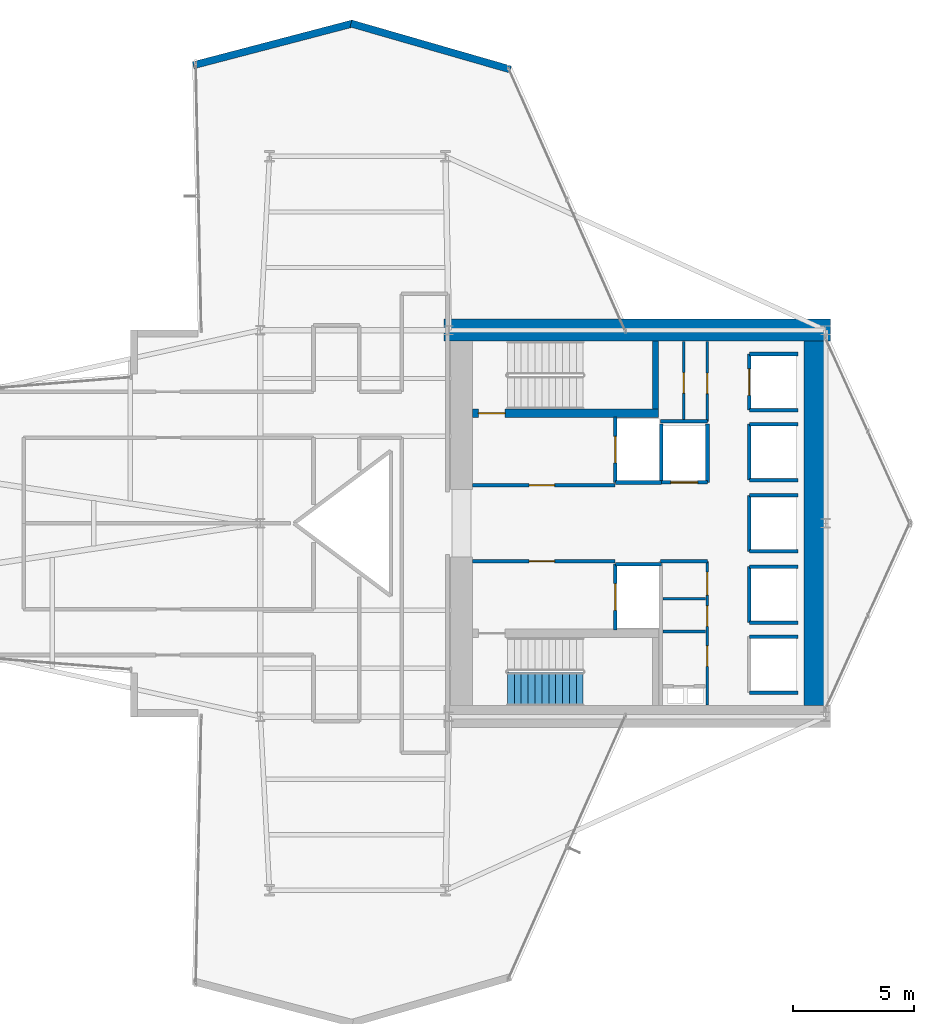
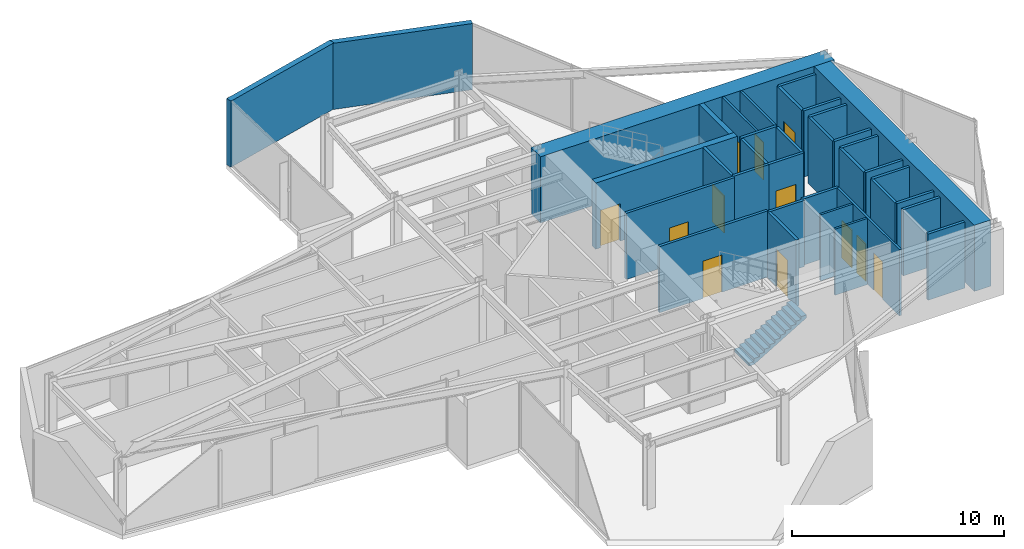
# One storey, part 21 of 23: 36 walls, 12 doors, 1 stair flight, 12 openings, 1 element without a shape of its own.
"""IFC4 building model written with IfcOpenShell, lengths in metres."""

from ifc_helpers import new_model, si_unit, direction, frame, frame_2d, origin, place, context, subcontext, project, spatial, polyline, rectangle, outline, extrude, material, layer, layer_set, type_object, element, fill, aggregate, save


model = new_model("IFC4")

# Units and contexts
model_context = context("Model", 3, precision=1e-05, world=origin(), true_north=direction((0.0, 1.0)))
body_context = subcontext(model_context, "Body", "Model", "MODEL_VIEW")
ifc_project = project(units=[si_unit("LENGTHUNIT", "METRE"), si_unit("AREAUNIT", "SQUARE_METRE"), si_unit("VOLUMEUNIT", "CUBIC_METRE"), si_unit("PLANEANGLEUNIT", "RADIAN"), si_unit("MASSUNIT", "GRAM", prefix="KILO")], contexts=[model_context])

# Site, building, storey
site_placement = place(None, origin())
site = spatial("IfcSite", under=ifc_project, at=site_placement, CompositionType="ELEMENT")
building_placement = place(site_placement, origin())
building = spatial("IfcBuilding", under=site, at=building_placement, Name="Veymaron Broadcast Tower", CompositionType="ELEMENT")
storey_placement = place(building_placement, frame((0.0, 0.0, 94.5)))
storey = spatial("IfcBuildingStorey", under=building, at=storey_placement, Name="L21", CompositionType="ELEMENT", Elevation=94.5)

# Walls
ifc_material_1 = material(Name="Precast concrete C40/50 with mineral-wool insulation", Category="concrete")
ifc_layer_1 = layer(ifc_material_1, 0.300048828125)
ifc_layer_set_1 = layer_set([ifc_layer_1], Name="Precast concrete C40/50 with mineral-wool insulation")
wall_type_1 = type_object("IfcWallType", Name="WALL-EXT-300", PredefinedType="STANDARD", material=ifc_layer_set_1)
wall_1_placement = place(storey_placement, frame((41.55322265625, 42.79150390625, 0.0), z_axis=(0.0, 0.0, 1.0), x_axis=(-0.960887246738, 0.27693988347, 0.0)))
element("IfcWall", 1, at=wall_1_placement, inside=storey, type_object=wall_type_1, Name="L21 notched corner facade pier 6-1", PredefinedType="STANDARD", context=body_context, shape_type="SweptSolid", body=[
    extrude(rectangle(XDim=6.871826171875, YDim=0.300048828125, at=frame_2d((3.43603515625, 0.0))), origin(), (0.0, 0.0, 1.0), 3.81005859375),
])
wall_2_placement = place(storey_placement, frame((35.0244140625, 44.693603515625, 0.0), z_axis=(0.0, 0.0, 1.0), x_axis=(-0.967350095479, -0.25344386514, 0.0)))
element("IfcWall", 2, at=wall_2_placement, inside=storey, type_object=wall_type_1, Name="L21 notched corner facade pier 7-1", PredefinedType="STANDARD", context=body_context, shape_type="SweptSolid", body=[
    extrude(rectangle(XDim=6.825927734375, YDim=0.300048828125, at=frame_2d((3.4130859375, 0.0))), origin(), (0.0, 0.0, 1.0), 3.81005859375),
])

# Wall, opening, door
ifc_material_2 = material(Name="Gypsum fireboard and steel stud framing", Category="steel")
ifc_layer_2 = layer(ifc_material_2, 0.14990234375)
ifc_layer_set_2 = layer_set([ifc_layer_2], Name="Gypsum fireboard and steel stud framing")
wall_type_2 = type_object("IfcWallType", Name="WALL-FIRE-150", PredefinedType="PARTITIONING", material=ifc_layer_set_2)
wall_3_placement = place(storey_placement, frame((39.97998046875, 25.574951171875, 0.0), z_axis=(0.0, 0.0, 1.0), x_axis=(1.0, 0.0, 0.0)))
wall_3 = element("IfcWall", 3, at=wall_3_placement, inside=storey, type_object=wall_type_2, Name="L21 partition IW-L21-FFLN-S", PredefinedType="PARTITIONING", context=body_context, shape_type="SweptSolid", body=[
    extrude(rectangle(XDim=5.89990234375, YDim=0.14990234375, at=frame_2d((2.949951171875, 0.0))), origin(), (0.0, 0.0, 1.0), 3.81005859375),
])
opening_1_placement = place(wall_3_placement, frame((2.35009765625, 0.0, 0.0)))
opening_1 = element("IfcOpeningElement", 4, at=opening_1_placement, cuts=wall_3, Name="Opening ID-FL1", PredefinedType="OPENING", context=body_context, shape_type="SweptSolid", body=[
    extrude(rectangle(XDim=1.050048828125, YDim=2.14990234375, at=frame_2d((0.52490234375, 1.074951171875))), frame((0.0, 0.0849609375, 0.0), z_axis=(0.0, -1.0, 0.0), x_axis=(1.0, 0.0, 0.0)), (0.0, 0.0, 1.0), 0.169921875),
])
ifc_material_3 = material(Name="Fire-rated painted hollow steel ASTM A653", Category="steel")
door_type_1 = type_object("IfcDoorType", Name="DOOR-FIRE-1050", OperationType="NOTDEFINED", PredefinedType="DOOR", material=ifc_material_3)
door_1_placement = place(opening_1_placement, origin())
door_1 = element("IfcDoor", 5, at=door_1_placement, inside=storey, type_object=door_type_1, Name="L21 door DR-L21-FFLN", OperationType="SINGLE_SWING_LEFT", OverallHeight=2.14990234375, OverallWidth=1.050048828125, PredefinedType="DOOR", context=body_context, shape_type="SweptSolid", body=[
    extrude(rectangle(XDim=1.050048828125, YDim=2.14990234375, at=frame_2d((0.52490234375, 1.074951171875))), frame((0.0, 0.02490234375, 0.0), z_axis=(0.0, -1.0, 0.0), x_axis=(1.0, 0.0, 0.0)), (0.0, 0.0, 1.0), 0.050048828125),
])
fill(opening_1, door_1)

wall_4_placement = place(storey_placement, frame((39.97998046875, 22.425048828125, 0.0), z_axis=(0.0, 0.0, 1.0), x_axis=(1.0, 0.0, 0.0)))
wall_4 = element("IfcWall", 6, at=wall_4_placement, inside=storey, type_object=wall_type_2, Name="L21 partition IW-L21-FFLS-N", PredefinedType="PARTITIONING", context=body_context, shape_type="SweptSolid", body=[
    extrude(rectangle(XDim=5.89990234375, YDim=0.14990234375, at=frame_2d((2.949951171875, 0.0))), origin(), (0.0, 0.0, 1.0), 3.81005859375),
])
opening_2_placement = place(wall_4_placement, frame((2.35009765625, 0.0, 0.0)))
opening_2 = element("IfcOpeningElement", 7, at=opening_2_placement, cuts=wall_4, Name="Opening ID-FL1", PredefinedType="OPENING", context=body_context, shape_type="SweptSolid", body=[
    extrude(rectangle(XDim=1.050048828125, YDim=2.14990234375, at=frame_2d((0.52490234375, 1.074951171875))), frame((0.0, 0.0849609375, 0.0), z_axis=(0.0, -1.0, 0.0), x_axis=(1.0, 0.0, 0.0)), (0.0, 0.0, 1.0), 0.169921875),
])
door_2_placement = place(opening_2_placement, frame((1.050048828125, 0.0, 0.0), z_axis=(0.0, 0.0, 1.0), x_axis=(-1.0, 0.0, 0.0)))
door_2 = element("IfcDoor", 8, at=door_2_placement, inside=storey, type_object=door_type_1, Name="L21 door DR-L21-FFLS", OperationType="SINGLE_SWING_RIGHT", OverallHeight=2.14990234375, OverallWidth=1.050048828125, PredefinedType="DOOR", context=body_context, shape_type="SweptSolid", body=[
    extrude(rectangle(XDim=1.050048828125, YDim=2.14990234375, at=frame_2d((0.52490234375, 1.074951171875))), frame((0.0, 0.02490234375, 0.0), z_axis=(0.0, -1.0, 0.0), x_axis=(1.0, 0.0, 0.0)), (0.0, 0.0, 1.0), 0.050048828125),
])
fill(opening_2, door_2)

wall_5_placement = place(storey_placement, frame((45.89501953125, 25.68994140625, 0.0), z_axis=(0.0, 0.0, 1.0), x_axis=(0.0, 1.0, 0.0)))
wall_5 = element("IfcWall", 9, at=wall_5_placement, inside=storey, type_object=wall_type_2, Name="L21 partition IW-L21-SHW-FFL-1", PredefinedType="PARTITIONING", context=body_context, shape_type="SweptSolid", body=[
    extrude(rectangle(XDim=2.719970703125, YDim=0.14990234375, at=frame_2d((1.35986328125, 0.0))), origin(), (0.0, 0.0, 1.0), 3.81005859375),
])
opening_3_placement = place(wall_5_placement, frame((0.81005859375, 0.0, 0.0)))
opening_3 = element("IfcOpeningElement", 10, at=opening_3_placement, cuts=wall_5, Name="Opening LD", PredefinedType="OPENING", context=body_context, shape_type="SweptSolid", body=[
    extrude(rectangle(XDim=1.10009765625, YDim=2.14990234375, at=frame_2d((0.550048828125, 1.074951171875))), frame((0.0, 0.0849609375, 0.0), z_axis=(0.0, -1.0, 0.0), x_axis=(1.0, 0.0, 0.0)), (0.0, 0.0, 1.0), 0.169921875),
])
ifc_material_4 = material(Name="Brushed stainless steel AISI 304", Category="steel")
door_type_2 = type_object("IfcDoorType", Name="DOOR-LIFT-1100", OperationType="DOUBLE_DOOR_SLIDING", PredefinedType="DOOR", material=ifc_material_4)
door_3_placement = place(opening_3_placement, frame((1.10009765625, 0.0, 0.0), z_axis=(0.0, 0.0, 1.0), x_axis=(-1.0, 0.0, 0.0)))
door_3 = element("IfcDoor", 11, at=door_3_placement, inside=storey, type_object=door_type_2, Name="L21 door LD-L21-FFL-1", OperationType="DOUBLE_DOOR_SLIDING", OverallHeight=2.14990234375, OverallWidth=1.10009765625, PredefinedType="DOOR", context=body_context, shape_type="SweptSolid", body=[
    extrude(rectangle(XDim=1.10009765625, YDim=2.14990234375, at=frame_2d((0.550048828125, 1.074951171875))), frame((0.0, 0.02490234375, 0.0), z_axis=(0.0, -1.0, 0.0), x_axis=(1.0, 0.0, 0.0)), (0.0, 0.0, 1.0), 0.050048828125),
])
fill(opening_3, door_3)

# Wall
wall_6_placement = place(storey_placement, frame((45.89501953125, 25.68994140625, 0.0), z_axis=(0.0, 0.0, 1.0), x_axis=(1.0, 0.0, 0.0)))
element("IfcWall", 12, at=wall_6_placement, inside=storey, type_object=wall_type_2, Name="L21 partition IW-L21-SHS-FFL-1", PredefinedType="PARTITIONING", context=body_context, shape_type="SweptSolid", body=[
    extrude(rectangle(XDim=1.9150390625, YDim=0.14990234375, at=frame_2d((0.95751953125, 0.0))), origin(), (0.0, 0.0, 1.0), 3.81005859375),
])

# Wall, opening, door
wall_7_placement = place(storey_placement, frame((45.89501953125, 19.590087890625, 0.0), z_axis=(0.0, 0.0, 1.0), x_axis=(0.0, 1.0, 0.0)))
wall_7 = element("IfcWall", 13, at=wall_7_placement, inside=storey, type_object=wall_type_2, Name="L21 partition IW-L21-SHW-FFL-2", PredefinedType="PARTITIONING", context=body_context, shape_type="SweptSolid", body=[
    extrude(rectangle(XDim=2.719970703125, YDim=0.14990234375, at=frame_2d((1.35986328125, 0.0))), origin(), (0.0, 0.0, 1.0), 3.81005859375),
])
opening_4_placement = place(wall_7_placement, frame((0.81005859375, 0.0, 0.0)))
opening_4 = element("IfcOpeningElement", 14, at=opening_4_placement, cuts=wall_7, Name="Opening LD", PredefinedType="OPENING", context=body_context, shape_type="SweptSolid", body=[
    extrude(rectangle(XDim=1.10009765625, YDim=2.14990234375, at=frame_2d((0.550048828125, 1.074951171875))), frame((0.0, 0.0849609375, 0.0), z_axis=(0.0, -1.0, 0.0), x_axis=(1.0, 0.0, 0.0)), (0.0, 0.0, 1.0), 0.169921875),
])
door_4_placement = place(opening_4_placement, frame((1.10009765625, 0.0, 0.0), z_axis=(0.0, 0.0, 1.0), x_axis=(-1.0, 0.0, 0.0)))
door_4 = element("IfcDoor", 15, at=door_4_placement, inside=storey, type_object=door_type_2, Name="L21 door LD-L21-FFL-2", OperationType="DOUBLE_DOOR_SLIDING", OverallHeight=2.14990234375, OverallWidth=1.10009765625, PredefinedType="DOOR", context=body_context, shape_type="SweptSolid", body=[
    extrude(rectangle(XDim=1.10009765625, YDim=2.14990234375, at=frame_2d((0.550048828125, 1.074951171875))), frame((0.0, 0.02490234375, 0.0), z_axis=(0.0, -1.0, 0.0), x_axis=(1.0, 0.0, 0.0)), (0.0, 0.0, 1.0), 0.050048828125),
])
fill(opening_4, door_4)

# Wall
wall_8_placement = place(storey_placement, frame((45.89501953125, 22.31005859375, 0.0), z_axis=(0.0, 0.0, 1.0), x_axis=(1.0, 0.0, 0.0)))
element("IfcWall", 16, at=wall_8_placement, inside=storey, type_object=wall_type_2, Name="L21 partition IW-L21-SHN-FFL-2", PredefinedType="PARTITIONING", context=body_context, shape_type="SweptSolid", body=[
    extrude(rectangle(XDim=1.9150390625, YDim=0.14990234375, at=frame_2d((0.95751953125, 0.0))), origin(), (0.0, 0.0, 1.0), 3.81005859375),
])

# Wall, opening, door
wall_9_placement = place(storey_placement, frame((47.7900390625, 25.695068359375, 0.0), z_axis=(0.0, 0.0, 1.0), x_axis=(1.0, 0.0, 0.0)))
wall_9 = element("IfcWall", 17, at=wall_9_placement, inside=storey, type_object=wall_type_2, Name="L21 partition IW-L21-SHS-SL-1", PredefinedType="PARTITIONING", context=body_context, shape_type="SweptSolid", body=[
    extrude(rectangle(XDim=1.919921875, YDim=0.14990234375, at=frame_2d((0.9599609375, 0.0))), origin(), (0.0, 0.0, 1.0), 3.81005859375),
])
opening_5_placement = place(wall_9_placement, frame((0.409912109375, 0.0, 0.0)))
opening_5 = element("IfcOpeningElement", 18, at=opening_5_placement, cuts=wall_9, Name="Opening LD", PredefinedType="OPENING", context=body_context, shape_type="SweptSolid", body=[
    extrude(rectangle(XDim=1.10009765625, YDim=2.14990234375, at=frame_2d((0.550048828125, 1.074951171875))), frame((0.0, 0.0849609375, 0.0), z_axis=(0.0, -1.0, 0.0), x_axis=(1.0, 0.0, 0.0)), (0.0, 0.0, 1.0), 0.169921875),
])
door_5_placement = place(opening_5_placement, frame((1.10009765625, 0.0, 0.0), z_axis=(0.0, 0.0, 1.0), x_axis=(-1.0, 0.0, 0.0)))
door_5 = element("IfcDoor", 19, at=door_5_placement, inside=storey, type_object=door_type_2, Name="L21 door LD-L21-SL-1", OperationType="DOUBLE_DOOR_SLIDING", OverallHeight=2.14990234375, OverallWidth=1.10009765625, PredefinedType="DOOR", context=body_context, shape_type="SweptSolid", body=[
    extrude(rectangle(XDim=1.10009765625, YDim=2.14990234375, at=frame_2d((0.550048828125, 1.074951171875))), frame((0.0, 0.02490234375, 0.0), z_axis=(0.0, -1.0, 0.0), x_axis=(1.0, 0.0, 0.0)), (0.0, 0.0, 1.0), 0.050048828125),
])
fill(opening_5, door_5)

# Walls
for number, where, z_axis, x_axis, name in (
    (20, (47.7900390625, 25.695068359375, 0.0), (0.0, 0.0, 1.0), (0.0, 1.0, 0.0), "L21 partition IW-L21-SHW-SL-1"),
    (21, (49.7099609375, 25.695068359375, 0.0), (0.0, 0.0, 1.0), (0.0, 1.0, 0.0), "L21 partition IW-L21-SHE-SL-1"),
):
    element("IfcWall", number, at=place(storey_placement, frame(where, z_axis=z_axis, x_axis=x_axis)), inside=storey, type_object=wall_type_2, Name=name, PredefinedType="PARTITIONING", context=body_context, shape_type="SweptSolid", body=[
        extrude(rectangle(XDim=2.4150390625, YDim=0.14990234375, at=frame_2d((1.20751953125, 0.0))), origin(), (0.0, 0.0, 1.0), 3.81005859375),
    ])

# Wall, opening, door
wall_10_placement = place(storey_placement, frame((51.445068359375, 28.68994140625, 0.0), z_axis=(0.0, 0.0, 1.0), x_axis=(0.0, 1.0, 0.0)))
wall_10 = element("IfcWall", 22, at=wall_10_placement, inside=storey, type_object=wall_type_2, Name="L21 partition IW-L21-SHW-PL1", PredefinedType="PARTITIONING", context=body_context, shape_type="SweptSolid", body=[
    extrude(rectangle(XDim=2.320068359375, YDim=0.14990234375, at=frame_2d((1.16015625, 0.0))), origin(), (0.0, 0.0, 1.0), 3.81005859375),
])
opening_6_placement = place(wall_10_placement, frame((0.610107421875, 0.0, 0.0)))
opening_6 = element("IfcOpeningElement", 23, at=opening_6_placement, cuts=wall_10, Name="Opening LD", PredefinedType="OPENING", context=body_context, shape_type="SweptSolid", body=[
    extrude(rectangle(XDim=1.10009765625, YDim=2.14990234375, at=frame_2d((0.550048828125, 1.074951171875))), frame((0.0, 0.0849609375, 0.0), z_axis=(0.0, -1.0, 0.0), x_axis=(1.0, 0.0, 0.0)), (0.0, 0.0, 1.0), 0.169921875),
])
door_6_placement = place(opening_6_placement, frame((1.10009765625, 0.0, 0.0), z_axis=(0.0, 0.0, 1.0), x_axis=(-1.0, 0.0, 0.0)))
door_6 = element("IfcDoor", 24, at=door_6_placement, inside=storey, type_object=door_type_2, Name="L21 door LD-L21-PL1", OperationType="DOUBLE_DOOR_SLIDING", OverallHeight=2.14990234375, OverallWidth=1.10009765625, PredefinedType="DOOR", context=body_context, shape_type="SweptSolid", body=[
    extrude(rectangle(XDim=1.10009765625, YDim=2.14990234375, at=frame_2d((0.550048828125, 1.074951171875))), frame((0.0, 0.02490234375, 0.0), z_axis=(0.0, -1.0, 0.0), x_axis=(1.0, 0.0, 0.0)), (0.0, 0.0, 1.0), 0.050048828125),
])
fill(opening_6, door_6)

# Walls
for number, where, z_axis, x_axis, name in (
    (25, (51.445068359375, 28.68994140625, 0.0), (0.0, 0.0, 1.0), (1.0, 0.0, 0.0), "L21 partition IW-L21-SHS-PL1"),
    (26, (51.445068359375, 31.010009765625, 0.0), (0.0, 0.0, 1.0), (1.0, 0.0, 0.0), "L21 partition IW-L21-SHN-PL1"),
):
    element("IfcWall", number, at=place(storey_placement, frame(where, z_axis=z_axis, x_axis=x_axis)), inside=storey, type_object=wall_type_2, Name=name, PredefinedType="PARTITIONING", context=body_context, shape_type="SweptSolid", body=[
        extrude(rectangle(XDim=2.014892578125, YDim=0.14990234375, at=frame_2d((1.00732421875, 0.0))), origin(), (0.0, 0.0, 1.0), 3.81005859375),
    ])
wall_11_placement = place(storey_placement, frame((51.445068359375, 25.7900390625, 0.0), z_axis=(0.0, 0.0, 1.0), x_axis=(0.0, 1.0, 0.0)))
element("IfcWall", 27, at=wall_11_placement, inside=storey, type_object=wall_type_2, Name="L21 partition IW-L21-SHW-PM1", PredefinedType="PARTITIONING", context=body_context, shape_type="SweptSolid", body=[
    extrude(rectangle(XDim=2.320068359375, YDim=0.14990234375, at=frame_2d((1.16015625, 0.0))), origin(), (0.0, 0.0, 1.0), 3.81005859375),
])
for number, where, z_axis, x_axis, name in (
    (28, (51.445068359375, 25.7900390625, 0.0), (0.0, 0.0, 1.0), (1.0, 0.0, 0.0), "L21 partition IW-L21-SHS-PM1"),
    (29, (51.445068359375, 28.110107421875, 0.0), (0.0, 0.0, 1.0), (1.0, 0.0, 0.0), "L21 partition IW-L21-SHN-PM1"),
):
    element("IfcWall", number, at=place(storey_placement, frame(where, z_axis=z_axis, x_axis=x_axis)), inside=storey, type_object=wall_type_2, Name=name, PredefinedType="PARTITIONING", context=body_context, shape_type="SweptSolid", body=[
        extrude(rectangle(XDim=2.014892578125, YDim=0.14990234375, at=frame_2d((1.00732421875, 0.0))), origin(), (0.0, 0.0, 1.0), 3.81005859375),
    ])
wall_12_placement = place(storey_placement, frame((51.445068359375, 19.889892578125, 0.0), z_axis=(0.0, 0.0, 1.0), x_axis=(0.0, 1.0, 0.0)))
element("IfcWall", 30, at=wall_12_placement, inside=storey, type_object=wall_type_2, Name="L21 partition IW-L21-SHW-PM2", PredefinedType="PARTITIONING", context=body_context, shape_type="SweptSolid", body=[
    extrude(rectangle(XDim=2.320068359375, YDim=0.14990234375, at=frame_2d((1.16015625, 0.0))), origin(), (0.0, 0.0, 1.0), 3.81005859375),
])
for number, where, z_axis, x_axis, name in (
    (31, (51.445068359375, 19.889892578125, 0.0), (0.0, 0.0, 1.0), (1.0, 0.0, 0.0), "L21 partition IW-L21-SHS-PM2"),
    (32, (51.445068359375, 22.2099609375, 0.0), (0.0, 0.0, 1.0), (1.0, 0.0, 0.0), "L21 partition IW-L21-SHN-PM2"),
):
    element("IfcWall", number, at=place(storey_placement, frame(where, z_axis=z_axis, x_axis=x_axis)), inside=storey, type_object=wall_type_2, Name=name, PredefinedType="PARTITIONING", context=body_context, shape_type="SweptSolid", body=[
        extrude(rectangle(XDim=2.014892578125, YDim=0.14990234375, at=frame_2d((1.00732421875, 0.0))), origin(), (0.0, 0.0, 1.0), 3.81005859375),
    ])
wall_13_placement = place(storey_placement, frame((51.445068359375, 22.840087890625, 0.0), z_axis=(0.0, 0.0, 1.0), x_axis=(0.0, 1.0, 0.0)))
element("IfcWall", 33, at=wall_13_placement, inside=storey, type_object=wall_type_2, Name="L21 partition IW-L21-SHW-PM3", PredefinedType="PARTITIONING", context=body_context, shape_type="SweptSolid", body=[
    extrude(rectangle(XDim=2.31982421875, YDim=0.14990234375, at=frame_2d((1.159912109375, 0.0))), origin(), (0.0, 0.0, 1.0), 3.81005859375),
])
for number, where, z_axis, x_axis, name in (
    (34, (51.445068359375, 22.840087890625, 0.0), (0.0, 0.0, 1.0), (1.0, 0.0, 0.0), "L21 partition IW-L21-SHS-PM3"),
    (35, (51.445068359375, 25.159912109375, 0.0), (0.0, 0.0, 1.0), (1.0, 0.0, 0.0), "L21 partition IW-L21-SHN-PM3"),
    (36, (51.445068359375, 16.989990234375, 0.0), (0.0, 0.0, 1.0), (1.0, 0.0, 0.0), "L21 partition IW-L21-SHS-PH1"),
    (37, (51.445068359375, 19.31005859375, 0.0), (0.0, 0.0, 1.0), (1.0, 0.0, 0.0), "L21 partition IW-L21-SHN-PH1"),
):
    element("IfcWall", number, at=place(storey_placement, frame(where, z_axis=z_axis, x_axis=x_axis)), inside=storey, type_object=wall_type_2, Name=name, PredefinedType="PARTITIONING", context=body_context, shape_type="SweptSolid", body=[
        extrude(rectangle(XDim=2.014892578125, YDim=0.14990234375, at=frame_2d((1.00732421875, 0.0))), origin(), (0.0, 0.0, 1.0), 3.81005859375),
    ])
for number, where, z_axis, x_axis, name in (
    (38, (47.760009765625, 22.425048828125, 0.0), (0.0, 0.0, 1.0), (1.0, 0.0, 0.0), "L21 partition IW-L21-SM-N"),
    (39, (47.760009765625, 28.219970703125, 0.0), (0.0, 0.0, 1.0), (1.0, 0.0, 0.0), "L21 partition IW-L21-NM-S"),
):
    element("IfcWall", number, at=place(storey_placement, frame(where, z_axis=z_axis, x_axis=x_axis)), inside=storey, type_object=wall_type_2, Name=name, PredefinedType="PARTITIONING", context=body_context, shape_type="SweptSolid", body=[
        extrude(rectangle(XDim=1.9599609375, YDim=0.14990234375, at=frame_2d((0.97998046875, 0.0))), origin(), (0.0, 0.0, 1.0), 3.81005859375),
    ])
ifc_material_5 = material(Name="Acoustic gypsum board and galvanized stud", Category="gypsum")
ifc_layer_3 = layer(ifc_material_5, 0.1201171875)
ifc_layer_set_3 = layer_set([ifc_layer_3], Name="Acoustic gypsum board and galvanized stud")
wall_type_3 = type_object("IfcWallType", Name="WALL-PART-120", PredefinedType="PARTITIONING", material=ifc_layer_set_3)
for number, where, z_axis, x_axis, name in (
    (40, (47.860107421875, 19.52001953125, 0.0), (0.0, 0.0, 1.0), (1.0, 0.0, 0.0), "L21 partition IW-L21-SM-D1"),
    (41, (47.860107421875, 20.8798828125, 0.0), (0.0, 0.0, 1.0), (1.0, 0.0, 0.0), "L21 partition IW-L21-SM-D2"),
):
    element("IfcWall", number, at=place(storey_placement, frame(where, z_axis=z_axis, x_axis=x_axis)), inside=storey, type_object=wall_type_3, Name=name, PredefinedType="PARTITIONING", context=body_context, shape_type="SweptSolid", body=[
        extrude(rectangle(XDim=1.760009765625, YDim=0.1201171875, at=frame_2d((0.8798828125, 0.0))), origin(), (0.0, 0.0, 1.0), 3.81005859375),
    ])

# Wall, openings, doors
wall_14_placement = place(storey_placement, frame((49.699951171875, 16.47998046875, 0.0), z_axis=(0.0, 0.0, 1.0), x_axis=(0.0, 1.0, 0.0)))
wall_14 = element("IfcWall", 42, at=wall_14_placement, inside=storey, type_object=wall_type_3, Name="L21 partition IW-L21-SM-E", PredefinedType="PARTITIONING", context=body_context, shape_type="SweptSolid", body=[
    extrude(rectangle(XDim=5.945068359375, YDim=0.1201171875, at=frame_2d((2.97265625, 0.0))), origin(), (0.0, 0.0, 1.0), 3.81005859375),
])
opening_7_placement = place(wall_14_placement, frame((1.60009765625, 0.0, 0.0)))
opening_7 = element("IfcOpeningElement", 43, at=opening_7_placement, cuts=wall_14, Name="Opening ID-WC1", PredefinedType="OPENING", context=body_context, shape_type="SweptSolid", body=[
    extrude(rectangle(XDim=0.85009765625, YDim=2.14990234375, at=frame_2d((0.425048828125, 1.074951171875))), frame((0.0, 0.070068359375, 0.0), z_axis=(0.0, -1.0, 0.0), x_axis=(1.0, 0.0, 0.0)), (0.0, 0.0, 1.0), 0.14013671875),
])
opening_8_placement = place(wall_14_placement, frame((3.25, 0.0, 0.0)))
opening_8 = element("IfcOpeningElement", 44, at=opening_8_placement, cuts=wall_14, Name="Opening ID-WC1", PredefinedType="OPENING", context=body_context, shape_type="SweptSolid", body=[
    extrude(rectangle(XDim=0.85009765625, YDim=2.14990234375, at=frame_2d((0.425048828125, 1.074951171875))), frame((0.0, 0.070068359375, 0.0), z_axis=(0.0, -1.0, 0.0), x_axis=(1.0, 0.0, 0.0)), (0.0, 0.0, 1.0), 0.14013671875),
])
opening_9_placement = place(wall_14_placement, frame((4.550048828125, 0.0, 0.0)))
opening_9 = element("IfcOpeningElement", 45, at=opening_9_placement, cuts=wall_14, Name="Opening ID-RM1", PredefinedType="OPENING", context=body_context, shape_type="SweptSolid", body=[
    extrude(rectangle(XDim=0.949951171875, YDim=2.14990234375, at=frame_2d((0.47509765625, 1.074951171875))), frame((0.0, 0.070068359375, 0.0), z_axis=(0.0, -1.0, 0.0), x_axis=(1.0, 0.0, 0.0)), (0.0, 0.0, 1.0), 0.14013671875),
])
ifc_material_6 = material(Name="Moisture-resistant high-pressure laminate timber", Category="wood")
door_type_3 = type_object("IfcDoorType", Name="DOOR-INT-850", OperationType="NOTDEFINED", PredefinedType="DOOR", material=ifc_material_6)
door_7_placement = place(opening_7_placement, frame((0.85009765625, 0.0, 0.0), z_axis=(0.0, 0.0, 1.0), x_axis=(-1.0, 0.0, 0.0)))
door_7 = element("IfcDoor", 46, at=door_7_placement, inside=storey, type_object=door_type_3, Name="L21 door DR-L21-JST", OperationType="SINGLE_SWING_LEFT", OverallHeight=2.14990234375, OverallWidth=0.85009765625, PredefinedType="DOOR", context=body_context, shape_type="SweptSolid", body=[
    extrude(rectangle(XDim=0.85009765625, YDim=2.14990234375, at=frame_2d((0.425048828125, 1.074951171875))), frame((0.0, 0.02490234375, 0.0), z_axis=(0.0, -1.0, 0.0), x_axis=(1.0, 0.0, 0.0)), (0.0, 0.0, 1.0), 0.050048828125),
])
fill(opening_7, door_7)
door_8_placement = place(opening_8_placement, frame((0.85009765625, 0.0, 0.0), z_axis=(0.0, 0.0, 1.0), x_axis=(-1.0, 0.0, 0.0)))
door_8 = element("IfcDoor", 47, at=door_8_placement, inside=storey, type_object=door_type_3, Name="L21 door DR-L21-SWC", OperationType="SINGLE_SWING_RIGHT", OverallHeight=2.14990234375, OverallWidth=0.85009765625, PredefinedType="DOOR", context=body_context, shape_type="SweptSolid", body=[
    extrude(rectangle(XDim=0.85009765625, YDim=2.14990234375, at=frame_2d((0.425048828125, 1.074951171875))), frame((0.0, 0.02490234375, 0.0), z_axis=(0.0, -1.0, 0.0), x_axis=(1.0, 0.0, 0.0)), (0.0, 0.0, 1.0), 0.050048828125),
])
fill(opening_8, door_8)
ifc_material_7 = material(Name="Acoustic solid-core European oak veneer timber", Category="wood")
door_type_4 = type_object("IfcDoorType", Name="DOOR-INT-950", OperationType="NOTDEFINED", PredefinedType="DOOR", material=ifc_material_7)
door_9_placement = place(opening_9_placement, frame((0.949951171875, 0.0, 0.0), z_axis=(0.0, 0.0, 1.0), x_axis=(-1.0, 0.0, 0.0)))
door_9 = element("IfcDoor", 48, at=door_9_placement, inside=storey, type_object=door_type_4, Name="L21 door DR-L21-AWC", OperationType="SINGLE_SWING_LEFT", OverallHeight=2.14990234375, OverallWidth=0.949951171875, PredefinedType="DOOR", context=body_context, shape_type="SweptSolid", body=[
    extrude(rectangle(XDim=0.949951171875, YDim=2.14990234375, at=frame_2d((0.47509765625, 1.074951171875))), frame((0.0, 0.02490234375, 0.0), z_axis=(0.0, -1.0, 0.0), x_axis=(1.0, 0.0, 0.0)), (0.0, 0.0, 1.0), 0.050048828125),
])
fill(opening_9, door_9)

# Wall, opening, door
wall_15_placement = place(storey_placement, frame((48.72998046875, 28.239990234375, 0.0), z_axis=(0.0, 0.0, 1.0), x_axis=(0.0, 1.0, 0.0)))
wall_15 = element("IfcWall", 49, at=wall_15_placement, inside=storey, type_object=wall_type_3, Name="L21 partition IW-L21-NM-VX", PredefinedType="PARTITIONING", context=body_context, shape_type="SweptSolid", body=[
    extrude(rectangle(XDim=3.280029296875, YDim=0.1201171875, at=frame_2d((1.64013671875, 0.0))), origin(), (0.0, 0.0, 1.0), 3.81005859375),
])
opening_10_placement = place(wall_15_placement, frame((1.14990234375, 0.0, 0.0)))
opening_10 = element("IfcOpeningElement", 50, at=opening_10_placement, cuts=wall_15, Name="Opening ID-WC1", PredefinedType="OPENING", context=body_context, shape_type="SweptSolid", body=[
    extrude(rectangle(XDim=0.85009765625, YDim=2.14990234375, at=frame_2d((0.425048828125, 1.074951171875))), frame((0.0, 0.070068359375, 0.0), z_axis=(0.0, -1.0, 0.0), x_axis=(1.0, 0.0, 0.0)), (0.0, 0.0, 1.0), 0.14013671875),
])
door_10_placement = place(opening_10_placement, frame((0.85009765625, 0.0, 0.0), z_axis=(0.0, 0.0, 1.0), x_axis=(-1.0, 0.0, 0.0)))
door_10 = element("IfcDoor", 51, at=door_10_placement, inside=storey, type_object=door_type_3, Name="L21 door DR-L21-NMB", OperationType="SINGLE_SWING_LEFT", OverallHeight=2.14990234375, OverallWidth=0.85009765625, PredefinedType="DOOR", context=body_context, shape_type="SweptSolid", body=[
    extrude(rectangle(XDim=0.85009765625, YDim=2.14990234375, at=frame_2d((0.425048828125, 1.074951171875))), frame((0.0, 0.02490234375, 0.0), z_axis=(0.0, -1.0, 0.0), x_axis=(1.0, 0.0, 0.0)), (0.0, 0.0, 1.0), 0.050048828125),
])
fill(opening_10, door_10)

wall_16_placement = place(storey_placement, frame((49.699951171875, 28.219970703125, 0.0), z_axis=(0.0, 0.0, 1.0), x_axis=(0.0, 1.0, 0.0)))
wall_16 = element("IfcWall", 52, at=wall_16_placement, inside=storey, type_object=wall_type_3, Name="L21 partition IW-L21-NM-E", PredefinedType="PARTITIONING", context=body_context, shape_type="SweptSolid", body=[
    extrude(rectangle(XDim=3.300048828125, YDim=0.1201171875, at=frame_2d((1.64990234375, 0.0))), origin(), (0.0, 0.0, 1.0), 3.81005859375),
])
opening_11_placement = place(wall_16_placement, frame((1.14990234375, 0.0, 0.0)))
opening_11 = element("IfcOpeningElement", 53, at=opening_11_placement, cuts=wall_16, Name="Opening ID-WC1", PredefinedType="OPENING", context=body_context, shape_type="SweptSolid", body=[
    extrude(rectangle(XDim=0.85009765625, YDim=2.14990234375, at=frame_2d((0.425048828125, 1.074951171875))), frame((0.0, 0.070068359375, 0.0), z_axis=(0.0, -1.0, 0.0), x_axis=(1.0, 0.0, 0.0)), (0.0, 0.0, 1.0), 0.14013671875),
])
door_11_placement = place(opening_11_placement, frame((0.85009765625, 0.0, 0.0), z_axis=(0.0, 0.0, 1.0), x_axis=(-1.0, 0.0, 0.0)))
door_11 = element("IfcDoor", 54, at=door_11_placement, inside=storey, type_object=door_type_3, Name="L21 door DR-L21-NMA", OperationType="SINGLE_SWING_RIGHT", OverallHeight=2.14990234375, OverallWidth=0.85009765625, PredefinedType="DOOR", context=body_context, shape_type="SweptSolid", body=[
    extrude(rectangle(XDim=0.85009765625, YDim=2.14990234375, at=frame_2d((0.425048828125, 1.074951171875))), frame((0.0, 0.02490234375, 0.0), z_axis=(0.0, -1.0, 0.0), x_axis=(1.0, 0.0, 0.0)), (0.0, 0.0, 1.0), 0.050048828125),
])
fill(opening_11, door_11)

# Wall
ifc_material_8 = material(Name="Concrete C50/60", Category="concrete")
ifc_layer_4 = layer(ifc_material_8, 0.25)
ifc_layer_set_4 = layer_set([ifc_layer_4], Name="Concrete C50/60")
wall_type_4 = type_object("IfcWallType", Name="WALL-SHEAR-250", PredefinedType="SHEAR", material=ifc_layer_set_4)
wall_17_placement = place(storey_placement, frame((47.56494140625, 28.72998046875, 0.0), z_axis=(0.0, 0.0, 1.0), x_axis=(0.0, 1.0, 0.0)))
element("IfcWall", 55, at=wall_17_placement, inside=storey, type_object=wall_type_4, Name="L21 Core Wall north stair east shear", PredefinedType="SHEAR", context=body_context, shape_type="SweptSolid", body=[
    extrude(rectangle(XDim=2.820068359375, YDim=0.25, at=frame_2d((1.41015625, 0.0))), origin(), (0.0, 0.0, 1.0), 3.81005859375),
])

# Wall, opening, door
ifc_layer_5 = layer(ifc_material_8, 0.35009765625)
ifc_layer_set_5 = layer_set([ifc_layer_5], Name="Concrete C50/60")
wall_type_5 = type_object("IfcWallType", Name="WALL-SHEAR-350", PredefinedType="SHEAR", material=ifc_layer_set_5)
wall_18_placement = place(storey_placement, frame((39.97998046875, 28.554931640625, 0.0), z_axis=(0.0, 0.0, 1.0), x_axis=(1.0, 0.0, 0.0)))
wall_18 = element("IfcWall", 56, at=wall_18_placement, inside=storey, type_object=wall_type_5, Name="L21 Core Wall north stair spine", PredefinedType="SHEAR", context=body_context, shape_type="SweptSolid", body=[
    extrude(rectangle(XDim=7.7099609375, YDim=0.35009765625, at=frame_2d((3.85498046875, 0.0))), origin(), (0.0, 0.0, 1.0), 3.81005859375),
])
opening_12_placement = place(wall_18_placement, frame((0.25, 0.0, 0.0)))
opening_12 = element("IfcOpeningElement", 57, at=opening_12_placement, cuts=wall_18, Name="Opening ID-ST1", PredefinedType="OPENING", context=body_context, shape_type="SweptSolid", body=[
    extrude(rectangle(XDim=1.10009765625, YDim=2.14990234375, at=frame_2d((0.550048828125, 1.074951171875))), frame((0.0, 0.18505859375, 0.0), z_axis=(0.0, -1.0, 0.0), x_axis=(1.0, 0.0, 0.0)), (0.0, 0.0, 1.0), 0.3701171875),
])
door_type_5 = type_object("IfcDoorType", Name="DOOR-STAIR-1100", OperationType="NOTDEFINED", PredefinedType="DOOR", material=ifc_material_3)
door_12_placement = place(opening_12_placement, origin())
door_12 = element("IfcDoor", 58, at=door_12_placement, inside=storey, type_object=door_type_5, Name="L21 exit stair ST1 fire door", OperationType="SINGLE_SWING_RIGHT", OverallHeight=2.14990234375, OverallWidth=1.10009765625, PredefinedType="DOOR", context=body_context, shape_type="SweptSolid", body=[
    extrude(rectangle(XDim=1.10009765625, YDim=2.14990234375, at=frame_2d((0.550048828125, 1.074951171875))), frame((0.0, 0.02490234375, 0.0), z_axis=(0.0, -1.0, 0.0), x_axis=(1.0, 0.0, 0.0)), (0.0, 0.0, 1.0), 0.050048828125),
])
fill(opening_12, door_12)

# Walls
ifc_material_9 = material(Name="Concrete C70/85", Category="concrete")
ifc_layer_6 = layer(ifc_material_9, 0.89990234375)
ifc_layer_set_6 = layer_set([ifc_layer_6], Name="Concrete C70/85")
wall_type_6 = type_object("IfcWallType", Name="WALL-SHEAR-900", PredefinedType="SHEAR", material=ifc_layer_set_6)
wall_19_placement = place(storey_placement, frame((38.800048828125, 32.0, 0.0), z_axis=(0.0, 0.0, 1.0), x_axis=(1.0, 0.0, 0.0)))
element("IfcWall", 59, at=wall_19_placement, inside=storey, type_object=wall_type_6, Name="L21 Core Wall north shear", PredefinedType="SHEAR", context=body_context, shape_type="SweptSolid", body=[
    extrude(rectangle(XDim=16.0, YDim=0.89990234375, at=frame_2d((8.0, 0.0))), origin(), (0.0, 0.0, 1.0), 3.81005859375),
])
wall_20_placement = place(storey_placement, frame((54.14990234375, 16.449951171875, 0.0), z_axis=(0.0, 0.0, 1.0), x_axis=(0.0, 1.0, 0.0)))
element("IfcWall", 60, at=wall_20_placement, inside=storey, type_object=wall_type_6, Name="L21 Core Wall east shear", PredefinedType="SHEAR", context=body_context, shape_type="SweptSolid", body=[
    extrude(rectangle(XDim=15.10009765625, YDim=0.89990234375, at=frame_2d((7.550048828125, 0.0))), origin(), (0.0, 0.0, 1.0), 3.81005859375),
])

# Stair, stair flight
stair_type = type_object("IfcStairType", Name="STAIR-CORE-2", PredefinedType="HALF_TURN_STAIR", material=ifc_material_8)
stair_placement = place(storey_placement, origin())
stair = element("IfcStair", 61, at=stair_placement, inside=storey, type_object=stair_type, Name="L21 South protected dog-leg exit stair ST2", PredefinedType="HALF_TURN_STAIR")
ifc_material_10 = material(Name="Precast concrete C50/60", Category="concrete")
stair_flight_type = type_object("IfcStairFlightType", Name="FLT-CORE-RC", PredefinedType="STRAIGHT", material=ifc_material_10)
stair_flight_placement = place(storey_placement, frame((41.429931640625, 17.139892578125, 0.0), z_axis=(0.0, 0.0, 1.0), x_axis=(1.0, 0.0, 0.0)))
stair_flight = element("IfcStairFlight", 62, at=stair_flight_placement, type_object=stair_flight_type, Name="ST2 flight 1", NumberOfRisers=12, NumberOfTreads=11, PredefinedType="STRAIGHT", RiserHeight=0.16875, TreadLength=0.285, context=body_context, shape_type="SweptSolid", body=[
    extrude(outline(polyline([(0.0, 0.0), (0.0, 0.168701171875), (0.284912109375, 0.168701171875), (0.284912109375, 0.33740234375), (0.570068359375, 0.33740234375), (0.570068359375, 0.50634765625), (0.85498046875, 0.50634765625), (0.85498046875, 0.675048828125), (1.139892578125, 0.675048828125), (1.139892578125, 0.84375), (1.425048828125, 0.84375), (1.425048828125, 1.012451171875), (1.7099609375, 1.012451171875), (1.7099609375, 1.18115234375), (1.9951171875, 1.18115234375), (1.9951171875, 1.35009765625), (2.280029296875, 1.35009765625), (2.280029296875, 1.518798828125), (2.56494140625, 1.518798828125), (2.56494140625, 1.6875), (2.85009765625, 1.6875), (2.85009765625, 1.856201171875), (3.135009765625, 1.856201171875), (3.135009765625, 2.02490234375), (3.135009765625, 1.68212890625), (0.294189453125, 0.0), (0.0, 0.0)])), frame((0.0, 0.68994140625, 0.0), z_axis=(0.0, -1.0, 0.0), x_axis=(1.0, 0.0, 0.0)), (0.0, 0.0, 1.0), 1.3798828125),
])
aggregate(stair, [stair_flight])

save(model, "model.ifc")
